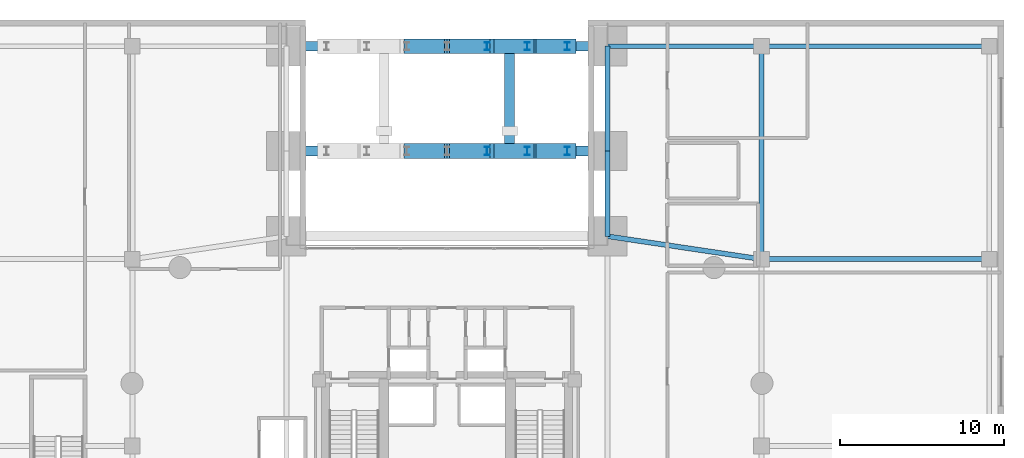
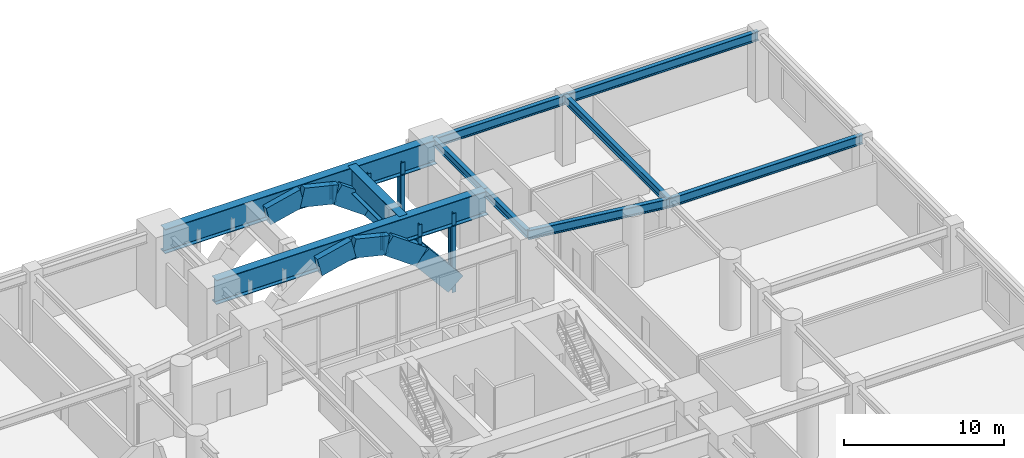
# One storey, part 11 of 18: 18 beams, 6 members.
"""IFC4 building model written with IfcOpenShell, lengths in metres."""

from ifc_helpers import new_model, si_unit, direction, frame, origin, origin_2d, place, context, subcontext, project, spatial, rectangle, i_section, extrude, material, material_profile, profile_set, type_object, element, save


model = new_model("IFC4")

# Units and contexts
model_context = context("Model", 3, precision=1e-05, world=origin(), true_north=direction((0.0, 1.0)))
body_context = subcontext(model_context, "Body", "Model", "MODEL_VIEW")
ifc_project = project(units=[si_unit("LENGTHUNIT", "METRE"), si_unit("AREAUNIT", "SQUARE_METRE"), si_unit("VOLUMEUNIT", "CUBIC_METRE"), si_unit("PLANEANGLEUNIT", "RADIAN"), si_unit("MASSUNIT", "GRAM", prefix="KILO"), si_unit("THERMODYNAMICTEMPERATUREUNIT", "KELVIN"), si_unit("POWERUNIT", "WATT")], contexts=[model_context])

# Site, building, storey
site_placement = place(None, origin())
site = spatial("IfcSite", under=ifc_project, at=site_placement, CompositionType="ELEMENT")
building_placement = place(site_placement, origin())
building = spatial("IfcBuilding", under=site, at=building_placement, Name="Ocrelia Relay Tower", CompositionType="ELEMENT")
storey_placement = place(building_placement, frame((0.0, 0.0, 10.199951171875)))
storey = spatial("IfcBuildingStorey", under=building, at=storey_placement, Name="L02", CompositionType="ELEMENT", Elevation=10.199951171875)

# Beams
ifc_material_1 = material(Name="Concrete C70/85", Category="concrete")
ifc_material_profile_1 = material_profile(ifc_material_1, rectangle(XDim=0.89990234375, YDim=1.39990234375, at=origin_2d()), Name="RC-BM-900x1400")
ifc_profile_set_1 = profile_set([ifc_material_profile_1], Name="Concrete C70/85")
beam_type_1 = type_object("IfcBeamType", Name="BM-ARCH-RIB", PredefinedType="USERDEFINED", material=ifc_profile_set_1)
for number, where, z_axis, x_axis, name in (
    (1, (31.550048828125, 50.39990234375, 3.5703125), (0.972681272343, 0.0, 0.232144658422), (0.0, 1.0, 0.0), "Monumental Portal Arch Rib N1 Seg 4"),
    (2, (34.0, 50.39990234375, 4.155029296875), (0.972681272343, 0.0, -0.232144658422), (0.0, 1.0, 0.0), "Monumental Portal Arch Rib N1 Seg 5"),
):
    element("IfcBeam", number, at=place(storey_placement, frame(where, z_axis=z_axis, x_axis=x_axis)), inside=storey, type_object=beam_type_1, Name=name, ObjectType="PORTAL ARCH", PredefinedType="USERDEFINED", context=body_context, shape_type="SweptSolid", body=[
        extrude(rectangle(XDim=0.89990234375, YDim=1.39990234375, at=origin_2d()), origin(), (0.0, 0.0, 1.0), 2.518798828125),
    ])
beam_1_placement = place(storey_placement, frame((36.449951171875, 50.39990234375, 3.5703125), z_axis=(0.813075999957, 0.0, -0.582157554528), x_axis=(0.0, 1.0, 0.0)))
element("IfcBeam", 3, at=beam_1_placement, inside=storey, type_object=beam_type_1, Name="Monumental Portal Arch Rib N1 Seg 6", ObjectType="PORTAL ARCH", PredefinedType="USERDEFINED", context=body_context, shape_type="SweptSolid", body=[
    extrude(rectangle(XDim=0.89990234375, YDim=1.39990234375, at=origin_2d()), origin(), (0.0, 0.0, 1.0), 3.01318359375),
])
beam_2_placement = place(storey_placement, frame((38.89990234375, 50.39990234375, 1.816162109375), z_axis=(0.642360114755, 0.0, -0.766402950785), x_axis=(0.0, 1.0, 0.0)))
element("IfcBeam", 4, at=beam_2_placement, inside=storey, type_object=beam_type_1, Name="Monumental Portal Arch Rib N1 Seg 7", ObjectType="PORTAL ARCH", PredefinedType="USERDEFINED", context=body_context, shape_type="SweptSolid", body=[
    extrude(rectangle(XDim=0.89990234375, YDim=1.39990234375, at=origin_2d()), origin(), (0.0, 0.0, 1.0), 3.814453125),
])
for number, where, z_axis, x_axis, name in (
    (5, (31.550048828125, 44.0, 3.5703125), (0.972681272343, 0.0, 0.232144658422), (0.0, 1.0, 0.0), "Monumental Portal Arch Rib N2 Seg 4"),
    (6, (34.0, 44.0, 4.155029296875), (0.972681272343, 0.0, -0.232144658422), (0.0, 1.0, 0.0), "Monumental Portal Arch Rib N2 Seg 5"),
):
    element("IfcBeam", number, at=place(storey_placement, frame(where, z_axis=z_axis, x_axis=x_axis)), inside=storey, type_object=beam_type_1, Name=name, ObjectType="PORTAL ARCH", PredefinedType="USERDEFINED", context=body_context, shape_type="SweptSolid", body=[
        extrude(rectangle(XDim=0.89990234375, YDim=1.39990234375, at=origin_2d()), origin(), (0.0, 0.0, 1.0), 2.518798828125),
    ])
beam_3_placement = place(storey_placement, frame((36.449951171875, 44.0, 3.5703125), z_axis=(0.813075999957, 0.0, -0.582157554528), x_axis=(0.0, 1.0, 0.0)))
element("IfcBeam", 7, at=beam_3_placement, inside=storey, type_object=beam_type_1, Name="Monumental Portal Arch Rib N2 Seg 6", ObjectType="PORTAL ARCH", PredefinedType="USERDEFINED", context=body_context, shape_type="SweptSolid", body=[
    extrude(rectangle(XDim=0.89990234375, YDim=1.39990234375, at=origin_2d()), origin(), (0.0, 0.0, 1.0), 3.01318359375),
])
beam_4_placement = place(storey_placement, frame((38.89990234375, 44.0, 1.816162109375), z_axis=(0.642360114755, 0.0, -0.766402950785), x_axis=(0.0, 1.0, 0.0)))
element("IfcBeam", 8, at=beam_4_placement, inside=storey, type_object=beam_type_1, Name="Monumental Portal Arch Rib N2 Seg 7", ObjectType="PORTAL ARCH", PredefinedType="USERDEFINED", context=body_context, shape_type="SweptSolid", body=[
    extrude(rectangle(XDim=0.89990234375, YDim=1.39990234375, at=origin_2d()), origin(), (0.0, 0.0, 1.0), 3.814453125),
])
ifc_material_2 = material(Name="Steel S355", Category="steel")
ifc_material_profile_2 = material_profile(ifc_material_2, i_section(OverallWidth=0.300048828125, OverallDepth=0.60009765625, WebThickness=0.015380859375, FlangeThickness=0.030029296875, FilletRadius=0.027099609375, at=origin_2d()), Name="HEB 600")
ifc_profile_set_2 = profile_set([ifc_material_profile_2], Name="Steel S355")
beam_type_2 = type_object("IfcBeamType", Name="BM-HEB600", PredefinedType="BEAM", material=ifc_profile_set_2)
beam_5_placement = place(storey_placement, frame((53.199951171875, 37.39990234375, 4.780029296875), z_axis=(0.0, 1.0, 0.0), x_axis=(-1.0, 0.0, 0.0)))
element("IfcBeam", 9, at=beam_5_placement, inside=storey, type_object=beam_type_2, Name="L02 Podium Span Girder IE-4", PredefinedType="BEAM", context=body_context, shape_type="SweptSolid", body=[
    extrude(i_section(OverallWidth=0.300048828125, OverallDepth=0.60009765625, WebThickness=0.015380859375, FlangeThickness=0.030029296875, FilletRadius=0.027099609375, at=origin_2d()), origin(), (0.0, 0.0, 1.0), 13.0),
])
beam_6_placement = place(storey_placement, frame((43.800048828125, 38.800048828125, 4.780029296875), z_axis=(0.0, 1.0, 0.0), x_axis=(-1.0, 0.0, 0.0)))
element("IfcBeam", 10, at=beam_6_placement, inside=storey, type_object=beam_type_2, Name="L02 Pier Line Tie Girder AE-4", PredefinedType="BEAM", context=body_context, shape_type="SweptSolid", body=[
    extrude(i_section(OverallWidth=0.300048828125, OverallDepth=0.60009765625, WebThickness=0.015380859375, FlangeThickness=0.030029296875, FilletRadius=0.027099609375, at=origin_2d()), origin(), (0.0, 0.0, 1.0), 5.199951171875),
])
beam_7_placement = place(storey_placement, frame((43.800048828125, 44.0, 4.780029296875), z_axis=(0.0, 1.0, 0.0), x_axis=(-1.0, 0.0, 0.0)))
element("IfcBeam", 11, at=beam_7_placement, inside=storey, type_object=beam_type_2, Name="L02 Pier Line Tie Girder AE-5", PredefinedType="BEAM", context=body_context, shape_type="SweptSolid", body=[
    extrude(i_section(OverallWidth=0.300048828125, OverallDepth=0.60009765625, WebThickness=0.015380859375, FlangeThickness=0.030029296875, FilletRadius=0.027099609375, at=origin_2d()), origin(), (0.0, 0.0, 1.0), 6.39990234375),
])
ifc_material_profile_3 = material_profile(ifc_material_2, i_section(OverallWidth=0.300048828125, OverallDepth=0.699951171875, WebThickness=0.01708984375, FlangeThickness=0.031982421875, FilletRadius=0.027099609375, at=origin_2d()), Name="HEB 700")
ifc_profile_set_3 = profile_set([ifc_material_profile_3], Name="Steel S355")
beam_type_3 = type_object("IfcBeamType", Name="BM-HEB700", PredefinedType="BEAM", material=ifc_profile_set_3)
beam_8_placement = place(storey_placement, frame((43.800048828125, 38.800048828125, 4.72998046875), z_axis=(0.989087708935, -0.14732787935, 0.0), x_axis=(0.14732787935, 0.989087708935, 0.0)))
element("IfcBeam", 12, at=beam_8_placement, inside=storey, type_object=beam_type_3, Name="L02 East Inner Podium Girder M2", PredefinedType="BEAM", context=body_context, shape_type="SweptSolid", body=[
    extrude(i_section(OverallWidth=0.300048828125, OverallDepth=0.699951171875, WebThickness=0.01708984375, FlangeThickness=0.031982421875, FilletRadius=0.027099609375, at=origin_2d()), origin(), (0.0, 0.0, 1.0), 9.503662109375),
])
beam_9_placement = place(storey_placement, frame((53.199951171875, 37.39990234375, 4.72998046875), z_axis=(1.0, 0.0, 0.0), x_axis=(0.0, 1.0, 0.0)))
element("IfcBeam", 13, at=beam_9_placement, inside=storey, type_object=beam_type_3, Name="L02 East Outer Podium Girder M2", PredefinedType="BEAM", context=body_context, shape_type="SweptSolid", body=[
    extrude(i_section(OverallWidth=0.300048828125, OverallDepth=0.699951171875, WebThickness=0.01708984375, FlangeThickness=0.031982421875, FilletRadius=0.027099609375, at=origin_2d()), origin(), (0.0, 0.0, 1.0), 13.900146484375),
])
beam_10_placement = place(storey_placement, frame((43.800048828125, 50.39990234375, 4.72998046875), z_axis=(1.0, 0.0, 0.0), x_axis=(0.0, 1.0, 0.0)))
element("IfcBeam", 14, at=beam_10_placement, inside=storey, type_object=beam_type_3, Name="L02 East Inner Podium Girder N", PredefinedType="BEAM", context=body_context, shape_type="SweptSolid", body=[
    extrude(i_section(OverallWidth=0.300048828125, OverallDepth=0.699951171875, WebThickness=0.01708984375, FlangeThickness=0.031982421875, FilletRadius=0.027099609375, at=origin_2d()), origin(), (0.0, 0.0, 1.0), 9.39990234375),
])
beam_11_placement = place(storey_placement, frame((53.199951171875, 50.39990234375, 4.72998046875), z_axis=(1.0, 0.0, 0.0), x_axis=(0.0, 1.0, 0.0)))
element("IfcBeam", 15, at=beam_11_placement, inside=storey, type_object=beam_type_3, Name="L02 East Outer Podium Girder N", PredefinedType="BEAM", context=body_context, shape_type="SweptSolid", body=[
    extrude(i_section(OverallWidth=0.300048828125, OverallDepth=0.699951171875, WebThickness=0.01708984375, FlangeThickness=0.031982421875, FilletRadius=0.027099609375, at=origin_2d()), origin(), (0.0, 0.0, 1.0), 13.900146484375),
])
ifc_material_profile_4 = material_profile(ifc_material_2, i_section(OverallWidth=0.60009765625, OverallDepth=1.85009765625, WebThickness=0.028076171875, FlangeThickness=0.0400390625, FilletRadius=0.02001953125, at=origin_2d()), Name="WPG 1850x600")
ifc_profile_set_4 = profile_set([ifc_material_profile_4], Name="Steel S355")
beam_type_4 = type_object("IfcBeamType", Name="BM-WPG1650", PredefinedType="T_BEAM", material=ifc_profile_set_4)
for number, where, z_axis, x_axis, name in (
    (16, (24.199951171875, 44.0, 4.155029296875), (1.0, 0.0, 0.0), (0.0, 1.0, 0.0), "L02 Portal Arch Span Transfer Girder G6"),
    (17, (24.199951171875, 50.39990234375, 4.155029296875), (1.0, 0.0, 0.0), (0.0, 1.0, 0.0), "L02 Portal Arch Span Transfer Girder G7"),
):
    element("IfcBeam", number, at=place(storey_placement, frame(where, z_axis=z_axis, x_axis=x_axis)), inside=storey, type_object=beam_type_4, Name=name, PredefinedType="T_BEAM", context=body_context, shape_type="SweptSolid", body=[
        extrude(i_section(OverallWidth=0.60009765625, OverallDepth=1.85009765625, WebThickness=0.028076171875, FlangeThickness=0.0400390625, FilletRadius=0.02001953125, at=origin_2d()), origin(), (0.0, 0.0, 1.0), 19.60009765625),
    ])
beam_12_placement = place(storey_placement, frame((37.82373046875, 44.0, 4.155029296875), z_axis=(0.0, 1.0, 0.0), x_axis=(-1.0, 0.0, 0.0)))
element("IfcBeam", 18, at=beam_12_placement, inside=storey, type_object=beam_type_4, Name="Portal Arch Column Collector Transfer Girder Z1-04", PredefinedType="T_BEAM", context=body_context, shape_type="SweptSolid", body=[
    extrude(i_section(OverallWidth=0.60009765625, OverallDepth=1.85009765625, WebThickness=0.028076171875, FlangeThickness=0.0400390625, FilletRadius=0.02001953125, at=origin_2d()), origin(), (0.0, 0.0, 1.0), 6.39990234375),
])

# Members
ifc_material_profile_5 = material_profile(ifc_material_2, i_section(OverallWidth=0.300048828125, OverallDepth=0.5, WebThickness=0.014404296875, FlangeThickness=0.028076171875, FilletRadius=0.027099609375, at=origin_2d()), Name="HEB 500")
ifc_profile_set_5 = profile_set([ifc_material_profile_5], Name="Steel S355")
member_type = type_object("IfcMemberType", Name="MB-RAKER-STRUT", PredefinedType="STRUT", material=ifc_profile_set_5)
member_1_placement = place(storey_placement, frame((36.449951171875, 50.39990234375, 2.8203125), z_axis=(0.0, 0.0, 1.0), x_axis=(1.0, 0.0, 0.0)))
element("IfcMember", 19, at=member_1_placement, inside=storey, type_object=member_type, Name="Portal Arch Spandrel Hanger N1-5", PredefinedType="STRUT", context=body_context, shape_type="SweptSolid", body=[
    extrude(i_section(OverallWidth=0.300048828125, OverallDepth=0.5, WebThickness=0.014404296875, FlangeThickness=0.028076171875, FilletRadius=0.027099609375, at=origin_2d()), origin(), (0.0, 0.0, 1.0), 1.334716796875),
])
member_2_placement = place(storey_placement, frame((38.89990234375, 50.39990234375, 1.066162109375), z_axis=(0.0, 0.0, 1.0), x_axis=(1.0, 0.0, 0.0)))
element("IfcMember", 20, at=member_2_placement, inside=storey, type_object=member_type, Name="Portal Arch Spandrel Hanger N1-6", PredefinedType="STRUT", context=body_context, shape_type="SweptSolid", body=[
    extrude(i_section(OverallWidth=0.300048828125, OverallDepth=0.5, WebThickness=0.014404296875, FlangeThickness=0.028076171875, FilletRadius=0.027099609375, at=origin_2d()), origin(), (0.0, 0.0, 1.0), 3.0888671875),
])
member_3_placement = place(storey_placement, frame((41.35009765625, 50.39990234375, -1.857177734375), z_axis=(0.0, 0.0, 1.0), x_axis=(1.0, 0.0, 0.0)))
element("IfcMember", 21, at=member_3_placement, inside=storey, type_object=member_type, Name="Portal Arch Spandrel Hanger N1-7", PredefinedType="STRUT", context=body_context, shape_type="SweptSolid", body=[
    extrude(i_section(OverallWidth=0.300048828125, OverallDepth=0.5, WebThickness=0.014404296875, FlangeThickness=0.028076171875, FilletRadius=0.027099609375, at=origin_2d()), origin(), (0.0, 0.0, 1.0), 6.01220703125),
])
member_4_placement = place(storey_placement, frame((36.449951171875, 44.0, 2.8203125), z_axis=(0.0, 0.0, 1.0), x_axis=(1.0, 0.0, 0.0)))
element("IfcMember", 22, at=member_4_placement, inside=storey, type_object=member_type, Name="Portal Arch Spandrel Hanger N2-5", PredefinedType="STRUT", context=body_context, shape_type="SweptSolid", body=[
    extrude(i_section(OverallWidth=0.300048828125, OverallDepth=0.5, WebThickness=0.014404296875, FlangeThickness=0.028076171875, FilletRadius=0.027099609375, at=origin_2d()), origin(), (0.0, 0.0, 1.0), 1.334716796875),
])
member_5_placement = place(storey_placement, frame((38.89990234375, 44.0, 1.066162109375), z_axis=(0.0, 0.0, 1.0), x_axis=(1.0, 0.0, 0.0)))
element("IfcMember", 23, at=member_5_placement, inside=storey, type_object=member_type, Name="Portal Arch Spandrel Hanger N2-6", PredefinedType="STRUT", context=body_context, shape_type="SweptSolid", body=[
    extrude(i_section(OverallWidth=0.300048828125, OverallDepth=0.5, WebThickness=0.014404296875, FlangeThickness=0.028076171875, FilletRadius=0.027099609375, at=origin_2d()), origin(), (0.0, 0.0, 1.0), 3.0888671875),
])
member_6_placement = place(storey_placement, frame((41.35009765625, 44.0, -1.857177734375), z_axis=(0.0, 0.0, 1.0), x_axis=(1.0, 0.0, 0.0)))
element("IfcMember", 24, at=member_6_placement, inside=storey, type_object=member_type, Name="Portal Arch Spandrel Hanger N2-7", PredefinedType="STRUT", context=body_context, shape_type="SweptSolid", body=[
    extrude(i_section(OverallWidth=0.300048828125, OverallDepth=0.5, WebThickness=0.014404296875, FlangeThickness=0.028076171875, FilletRadius=0.027099609375, at=origin_2d()), origin(), (0.0, 0.0, 1.0), 6.01220703125),
])

save(model, "model.ifc")
